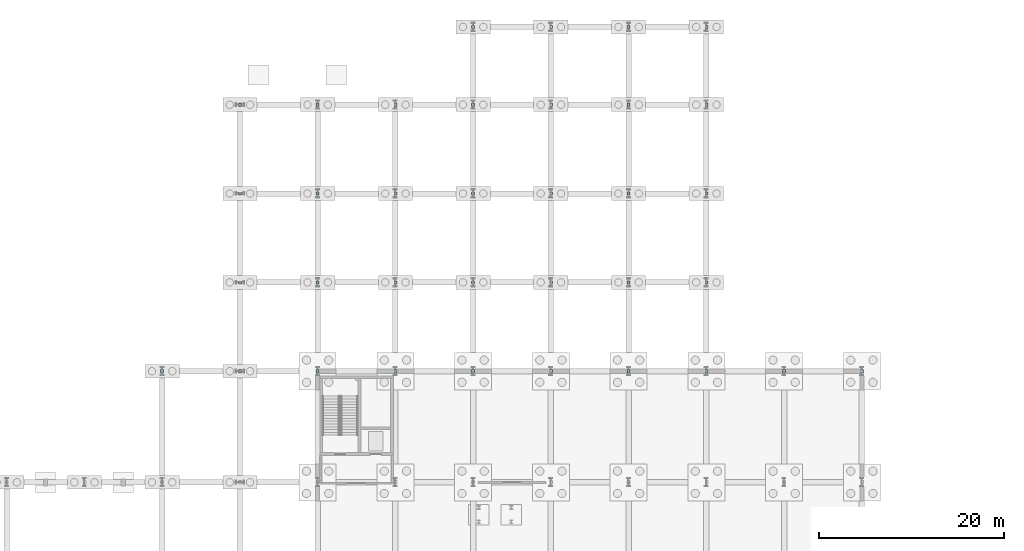
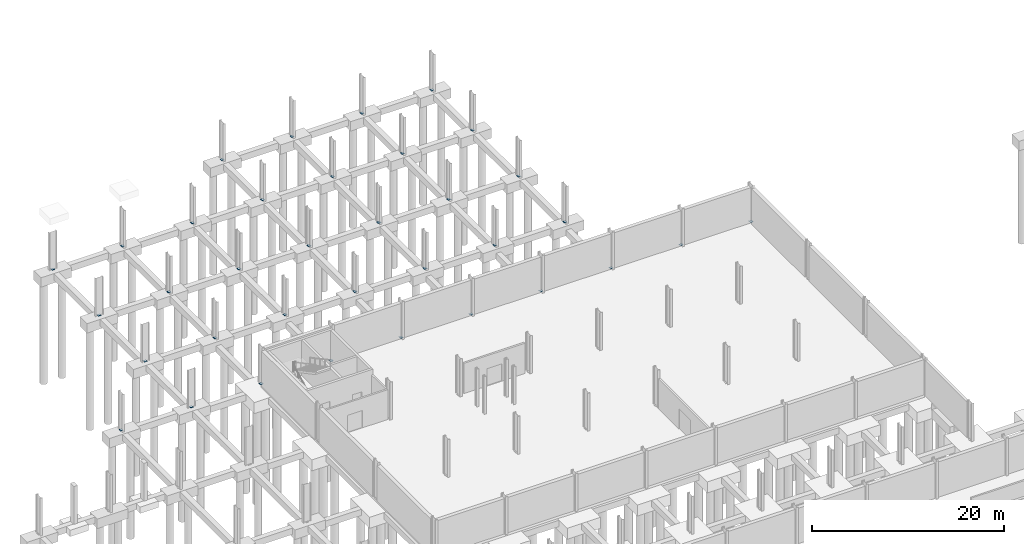
# One storey, part 18 of 29: 35 plates.
"""IFC4 building model written with IfcOpenShell, lengths in metres."""

from ifc_helpers import new_model, si_unit, direction, frame, origin, origin_2d, place, context, subcontext, project, spatial, rectangle, extrude, material, layer, layer_set, type_object, element, save


model = new_model("IFC4")

# Units and contexts
model_context = context("Model", 3, precision=1e-05, world=origin(), true_north=direction((0.0, 1.0)))
body_context = subcontext(model_context, "Body", "Model", "MODEL_VIEW")
ifc_project = project(units=[si_unit("LENGTHUNIT", "METRE"), si_unit("AREAUNIT", "SQUARE_METRE"), si_unit("VOLUMEUNIT", "CUBIC_METRE"), si_unit("PLANEANGLEUNIT", "RADIAN"), si_unit("MASSUNIT", "GRAM", prefix="KILO")], contexts=[model_context])

# Site, building, storey
site_placement = place(None, origin())
site = spatial("IfcSite", under=ifc_project, at=site_placement, CompositionType="ELEMENT")
building_placement = place(site_placement, origin())
building = spatial("IfcBuilding", under=site, at=building_placement, Name="Veltarok Museum of Natural Sciences", CompositionType="ELEMENT")
storey_placement = place(building_placement, frame((0.0, 0.0, -4.800048828125)))
storey = spatial("IfcBuildingStorey", under=building, at=storey_placement, Name="B1", CompositionType="ELEMENT", Elevation=-4.800048828125)

# Plates
ifc_material = material(Name="Steel S355J2", Category="steel")
ifc_layer = layer(ifc_material, 0.02001953125)
ifc_layer_set = layer_set([ifc_layer], Name="Steel S355J2")
plate_type = type_object("IfcPlateType", Name="Hollow End Closure Plate D340x20", PredefinedType="USERDEFINED", material=ifc_layer_set)
for number, where, z_axis, x_axis, name in (
    (1, (23.199951171875, 72.0, 0.0), (0.0, 0.0, 1.0), (1.0, 0.0, 0.0), "Column Base Plate B1 3/H"),
    (2, (31.60009765625, 72.0, 0.0), (0.0, 0.0, 1.0), (1.0, 0.0, 0.0), "Column Base Plate B1 4/H"),
    (3, (31.60009765625, 81.60009765625, 0.0), (0.0, 0.0, 1.0), (1.0, 0.0, 0.0), "Column Base Plate B1 4/J"),
    (4, (31.60009765625, 91.199951171875, 0.0), (0.0, 0.0, 1.0), (1.0, 0.0, 0.0), "Column Base Plate B1 4/K"),
    (5, (31.60009765625, 100.800048828125, 0.0), (0.0, 0.0, 1.0), (1.0, 0.0, 0.0), "Column Base Plate B1 4/L"),
    (6, (40.0, 72.0, 0.0), (0.0, 0.0, 1.0), (1.0, 0.0, 0.0), "Column Base Plate B1 5/H"),
    (7, (40.0, 81.60009765625, 0.0), (0.0, 0.0, 1.0), (1.0, 0.0, 0.0), "Column Base Plate B1 5/J"),
    (8, (40.0, 91.199951171875, 0.0), (0.0, 0.0, 1.0), (1.0, 0.0, 0.0), "Column Base Plate B1 5/K"),
    (9, (40.0, 100.800048828125, 0.0), (0.0, 0.0, 1.0), (1.0, 0.0, 0.0), "Column Base Plate B1 5/L"),
    (10, (48.39990234375, 72.0, 0.0), (0.0, 0.0, 1.0), (1.0, 0.0, 0.0), "Column Base Plate B1 6/H"),
    (11, (48.39990234375, 81.60009765625, 0.0), (0.0, 0.0, 1.0), (1.0, 0.0, 0.0), "Column Base Plate B1 6/J"),
    (12, (48.39990234375, 91.199951171875, 0.0), (0.0, 0.0, 1.0), (1.0, 0.0, 0.0), "Column Base Plate B1 6/K"),
    (13, (48.39990234375, 100.800048828125, 0.0), (0.0, 0.0, 1.0), (1.0, 0.0, 0.0), "Column Base Plate B1 6/L"),
    (14, (56.800048828125, 72.0, 0.0), (0.0, 0.0, 1.0), (1.0, 0.0, 0.0), "Column Base Plate B1 7/H"),
    (15, (56.800048828125, 81.60009765625, 0.0), (0.0, 0.0, 1.0), (1.0, 0.0, 0.0), "Column Base Plate B1 7/J"),
    (16, (56.800048828125, 91.199951171875, 0.0), (0.0, 0.0, 1.0), (1.0, 0.0, 0.0), "Column Base Plate B1 7/K"),
    (17, (56.800048828125, 100.800048828125, 0.0), (0.0, 0.0, 1.0), (1.0, 0.0, 0.0), "Column Base Plate B1 7/L"),
    (18, (56.800048828125, 109.199951171875, 0.0), (0.0, 0.0, 1.0), (1.0, 0.0, 0.0), "Column Base Plate B1 7/M"),
    (19, (65.199951171875, 72.0, 0.0), (0.0, 0.0, 1.0), (1.0, 0.0, 0.0), "Column Base Plate B1 8/H"),
    (20, (65.199951171875, 81.60009765625, 0.0), (0.0, 0.0, 1.0), (1.0, 0.0, 0.0), "Column Base Plate B1 8/J"),
    (21, (65.199951171875, 91.199951171875, 0.0), (0.0, 0.0, 1.0), (1.0, 0.0, 0.0), "Column Base Plate B1 8/K"),
    (22, (65.199951171875, 100.800048828125, 0.0), (0.0, 0.0, 1.0), (1.0, 0.0, 0.0), "Column Base Plate B1 8/L"),
    (23, (65.199951171875, 109.199951171875, 0.0), (0.0, 0.0, 1.0), (1.0, 0.0, 0.0), "Column Base Plate B1 8/M"),
    (24, (73.60009765625, 72.0, 0.0), (0.0, 0.0, 1.0), (1.0, 0.0, 0.0), "Column Base Plate B1 9/H"),
    (25, (73.60009765625, 81.60009765625, 0.0), (0.0, 0.0, 1.0), (1.0, 0.0, 0.0), "Column Base Plate B1 9/J"),
    (26, (73.60009765625, 91.199951171875, 0.0), (0.0, 0.0, 1.0), (1.0, 0.0, 0.0), "Column Base Plate B1 9/K"),
    (27, (73.60009765625, 100.800048828125, 0.0), (0.0, 0.0, 1.0), (1.0, 0.0, 0.0), "Column Base Plate B1 9/L"),
    (28, (73.60009765625, 109.199951171875, 0.0), (0.0, 0.0, 1.0), (1.0, 0.0, 0.0), "Column Base Plate B1 9/M"),
    (29, (82.0, 72.0, 0.0), (0.0, 0.0, 1.0), (1.0, 0.0, 0.0), "Column Base Plate B1 10/H"),
    (30, (82.0, 81.60009765625, 0.0), (0.0, 0.0, 1.0), (1.0, 0.0, 0.0), "Column Base Plate B1 10/J"),
    (31, (82.0, 91.199951171875, 0.0), (0.0, 0.0, 1.0), (1.0, 0.0, 0.0), "Column Base Plate B1 10/K"),
    (32, (82.0, 100.800048828125, 0.0), (0.0, 0.0, 1.0), (1.0, 0.0, 0.0), "Column Base Plate B1 10/L"),
    (33, (82.0, 109.199951171875, 0.0), (0.0, 0.0, 1.0), (1.0, 0.0, 0.0), "Column Base Plate B1 10/M"),
    (34, (90.39990234375, 72.0, 0.0), (0.0, 0.0, 1.0), (1.0, 0.0, 0.0), "Column Base Plate B1 11/H"),
    (35, (98.800048828125, 72.0, 0.0), (0.0, 0.0, 1.0), (1.0, 0.0, 0.0), "Column Base Plate B1 12/H"),
):
    element("IfcPlate", number, at=place(storey_placement, frame(where, z_axis=z_axis, x_axis=x_axis)), inside=storey, type_object=plate_type, Name=name, ObjectType="END CAP PLATE", PredefinedType="USERDEFINED", context=body_context, shape_type="SweptSolid", body=[
        extrude(rectangle(XDim=0.340087890625, YDim=0.340087890625, at=origin_2d()), origin(), (0.0, 0.0, 1.0), 0.02001953125),
    ])

save(model, "model.ifc")
